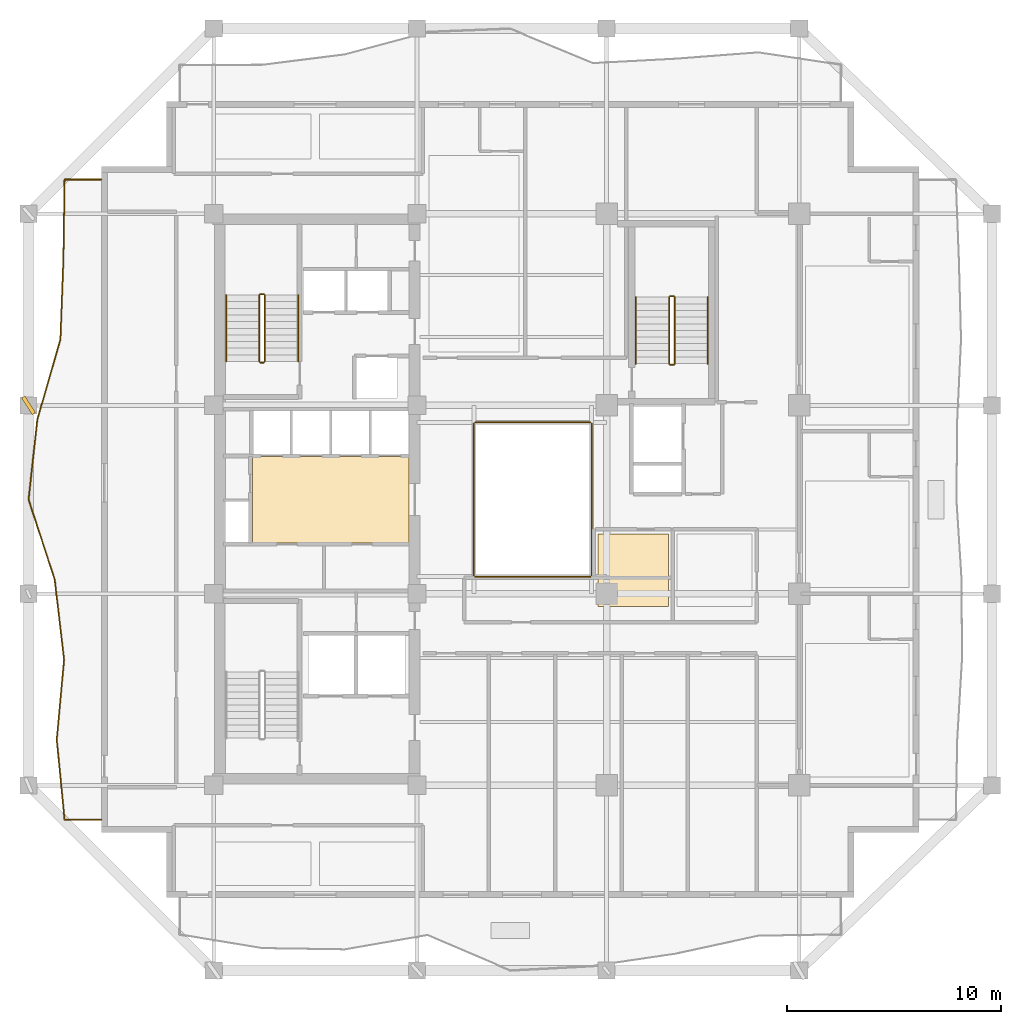
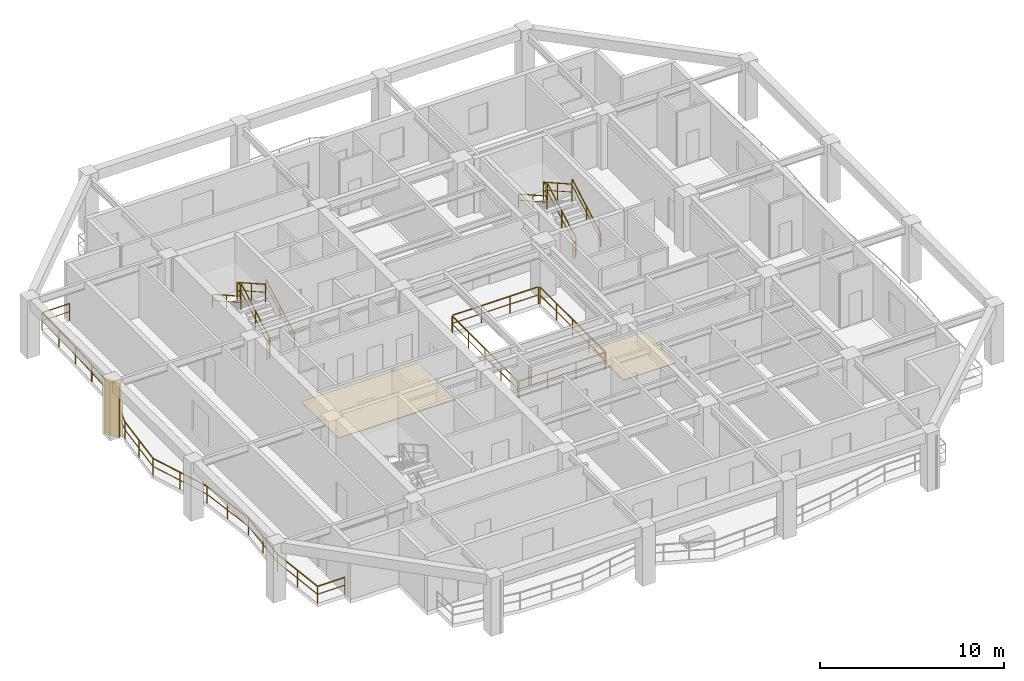
# One storey, part 9 of 11: 17 railings, 2 coverings, 1 shading device.
"""IFC4 building model written with IfcOpenShell, lengths in metres."""

from ifc_helpers import new_model, si_unit, direction, frame, origin, origin_2d, place, context, subcontext, project, spatial, polyline, rectangle, outline, extrude, material, layer, layer_set, type_object, element, save


model = new_model("IFC4")

# Units and contexts
model_context = context("Model", 3, precision=1e-05, world=origin(), true_north=direction((0.0, 1.0)))
body_context = subcontext(model_context, "Body", "Model", "MODEL_VIEW")
ifc_project = project(units=[si_unit("LENGTHUNIT", "METRE"), si_unit("AREAUNIT", "SQUARE_METRE"), si_unit("VOLUMEUNIT", "CUBIC_METRE"), si_unit("PLANEANGLEUNIT", "RADIAN"), si_unit("MASSUNIT", "GRAM", prefix="KILO")], contexts=[model_context])

# Site, building, storey
site_placement = place(None, origin())
site = spatial("IfcSite", under=ifc_project, at=site_placement, CompositionType="ELEMENT")
building_placement = place(site_placement, origin())
building = spatial("IfcBuilding", under=site, at=building_placement, Name="Kundavana Baori Tower", CompositionType="ELEMENT")
storey_placement = place(building_placement, frame((0.0, 0.0, 142.5)))
storey = spatial("IfcBuildingStorey", under=building, at=storey_placement, Name="L34", CompositionType="ELEMENT", Elevation=142.5)

# Coverings
ifc_material_1 = material(Name="Honed Kota Stone and Terrazzo Flooring", Category="masonry")
ifc_layer = layer(ifc_material_1, 0.030029296875, Name="COV-INT-FLR")
ifc_layer_set = layer_set([ifc_layer], Name="Honed Kota Stone and Terrazzo Flooring")
covering_type = type_object("IfcCoveringType", Name="COV-INT-FLR", PredefinedType="FLOORING", material=ifc_layer_set)
covering_1_placement = place(storey_placement, origin())
element("IfcCovering", 1, at=covering_1_placement, inside=storey, type_object=covering_type, Name="L34 Room Finished Stone Flooring 9", PredefinedType="FLOORING", context=body_context, shape_type="SweptSolid", body=[
    extrude(outline(polyline([(33.39990234375, 23.60009765625), (36.699951171875, 23.60009765625), (36.699951171875, 27.0), (33.39990234375, 27.0), (33.39990234375, 23.60009765625)])), origin(), (0.0, 0.0, 1.0), 0.030029296875),
])
covering_2_placement = place(storey_placement, origin())
element("IfcCovering", 2, at=covering_2_placement, inside=storey, type_object=covering_type, Name="L34 Core Lift Lobby Kota Stone Flooring", PredefinedType="FLOORING", context=body_context, shape_type="SweptSolid", body=[
    extrude(outline(polyline([(17.25, 26.580078125), (24.580078125, 26.580078125), (24.580078125, 30.60009765625), (17.25, 30.60009765625), (17.25, 26.580078125)])), origin(), (0.0, 0.0, 1.0), 0.030029296875),
])

# Railings
ifc_material_2 = material(Name="Architectural Patinated Bronze Metalwork")
railing_type_1 = type_object("IfcRailingType", Name="RL-BAL-1150", PredefinedType="BALUSTRADE", material=ifc_material_2)
railing_1_placement = place(storey_placement, frame((10.199951171875, 13.64990234375, 0.0)))
element("IfcRailing", 3, at=railing_1_placement, inside=storey, type_object=railing_type_1, Name="L34 Loggia Balcony Balustrade W", PredefinedType="BALUSTRADE", context=body_context, shape_type="SweptSolid", body=[
    extrude(rectangle(XDim=0.048095703125, YDim=0.048095703125, at=origin_2d()), frame((0.0, 0.0, 1.1259765625), z_axis=(-1.0, 0.0, 0.0), x_axis=(0.0, -1.0, 0.0)), (0.0, 0.0, 1.0), 1.719970703125),
    extrude(rectangle(XDim=0.03125, YDim=0.03125, at=origin_2d()), frame((0.0, 0.0, 0.597900390625), z_axis=(-1.0, 0.0, 0.0), x_axis=(0.0, -1.0, 0.0)), (0.0, 0.0, 1.0), 1.719970703125),
    extrude(rectangle(XDim=0.048095703125, YDim=0.048095703125, at=origin_2d()), frame((-1.719970703125, 0.0, 1.1259765625), z_axis=(-0.097462828087, 0.995239165799, 0.0), x_axis=(-0.995239165799, -0.097462828087, 0.0)), (0.0, 0.0, 1.0), 3.7548828125),
    extrude(rectangle(XDim=0.03125, YDim=0.03125, at=origin_2d()), frame((-1.719970703125, 0.0, 0.597900390625), z_axis=(-0.097462828087, 0.995239165799, 0.0), x_axis=(-0.995239165799, -0.097462828087, 0.0)), (0.0, 0.0, 1.0), 3.7548828125),
    extrude(rectangle(XDim=0.048095703125, YDim=0.048095703125, at=origin_2d()), frame((-2.0859375, 3.737060546875, 1.1259765625), z_axis=(0.091380157634, 0.995816080805, 0.0), x_axis=(-0.995816080805, 0.091380157634, 0.0)), (0.0, 0.0, 1.0), 3.753662109375),
    extrude(rectangle(XDim=0.03125, YDim=0.03125, at=origin_2d()), frame((-2.0859375, 3.737060546875, 0.597900390625), z_axis=(0.091380157634, 0.995816080805, 0.0), x_axis=(-0.995816080805, 0.091380157634, 0.0)), (0.0, 0.0, 1.0), 3.753662109375),
    extrude(rectangle(XDim=0.048095703125, YDim=0.048095703125, at=origin_2d()), frame((-1.742919921875, 7.47509765625, 1.1259765625), z_axis=(-0.116660546173, 0.993171846644, 0.0), x_axis=(-0.993171846644, -0.116660546173, 0.0)), (0.0, 0.0, 1.0), 3.7626953125),
    extrude(rectangle(XDim=0.03125, YDim=0.03125, at=origin_2d()), frame((-1.742919921875, 7.47509765625, 0.597900390625), z_axis=(-0.116660546173, 0.993171846644, 0.0), x_axis=(-0.993171846644, -0.116660546173, 0.0)), (0.0, 0.0, 1.0), 3.7626953125),
    extrude(rectangle(XDim=0.048095703125, YDim=0.048095703125, at=origin_2d()), frame((-2.181884765625, 11.212158203125, 1.1259765625), z_axis=(-0.309811933343, 0.950797857569, 0.0), x_axis=(-0.950797857569, -0.309811933343, 0.0)), (0.0, 0.0, 1.0), 3.931396484375),
    extrude(rectangle(XDim=0.03125, YDim=0.03125, at=origin_2d()), frame((-2.181884765625, 11.212158203125, 0.597900390625), z_axis=(-0.309811933343, 0.950797857569, 0.0), x_axis=(-0.950797857569, -0.309811933343, 0.0)), (0.0, 0.0, 1.0), 3.931396484375),
    extrude(rectangle(XDim=0.048095703125, YDim=0.048095703125, at=origin_2d()), frame((-3.39990234375, 14.9501953125, 1.1259765625), z_axis=(0.108271288951, 0.994121384937, 0.0), x_axis=(-0.994121384937, 0.108271288951, 0.0)), (0.0, 0.0, 1.0), 3.759033203125),
    extrude(rectangle(XDim=0.03125, YDim=0.03125, at=origin_2d()), frame((-3.39990234375, 14.9501953125, 0.597900390625), z_axis=(0.108271288951, 0.994121384937, 0.0), x_axis=(-0.994121384937, 0.108271288951, 0.0)), (0.0, 0.0, 1.0), 3.759033203125),
    extrude(rectangle(XDim=0.048095703125, YDim=0.048095703125, at=origin_2d()), frame((-2.992919921875, 18.68701171875, 1.1259765625), z_axis=(0.277065948786, 0.960850904159, 0.0), x_axis=(-0.960850904159, 0.277065948786, 0.0)), (0.0, 0.0, 1.0), 3.890380859375),
    extrude(rectangle(XDim=0.03125, YDim=0.03125, at=origin_2d()), frame((-2.992919921875, 18.68701171875, 0.597900390625), z_axis=(0.277065948786, 0.960850904159, 0.0), x_axis=(-0.960850904159, 0.277065948786, 0.0)), (0.0, 0.0, 1.0), 3.890380859375),
    extrude(rectangle(XDim=0.048095703125, YDim=0.048095703125, at=origin_2d()), frame((-1.9150390625, 22.425048828125, 1.1259765625), z_axis=(0.037212073746, 0.99930739093, 0.0), x_axis=(-0.99930739093, 0.037212073746, 0.0)), (0.0, 0.0, 1.0), 3.73974609375),
    extrude(rectangle(XDim=0.03125, YDim=0.03125, at=origin_2d()), frame((-1.9150390625, 22.425048828125, 0.597900390625), z_axis=(0.037212073746, 0.99930739093, 0.0), x_axis=(-0.99930739093, 0.037212073746, 0.0)), (0.0, 0.0, 1.0), 3.73974609375),
    extrude(rectangle(XDim=0.048095703125, YDim=0.048095703125, at=origin_2d()), frame((-1.77587890625, 26.162109375, 1.1259765625), z_axis=(0.014954894571, 0.999888169311, 0.0), x_axis=(-0.999888169311, 0.014954894571, 0.0)), (0.0, 0.0, 1.0), 3.738525390625),
    extrude(rectangle(XDim=0.03125, YDim=0.03125, at=origin_2d()), frame((-1.77587890625, 26.162109375, 0.597900390625), z_axis=(0.014954894571, 0.999888169311, 0.0), x_axis=(-0.999888169311, 0.014954894571, 0.0)), (0.0, 0.0, 1.0), 3.738525390625),
    extrude(rectangle(XDim=0.048095703125, YDim=0.048095703125, at=origin_2d()), frame((-1.719970703125, 29.900146484375, 1.1259765625), z_axis=(1.0, 0.0, 0.0), x_axis=(0.0, 1.0, 0.0)), (0.0, 0.0, 1.0), 1.719970703125),
    extrude(rectangle(XDim=0.03125, YDim=0.03125, at=origin_2d()), frame((-1.719970703125, 29.900146484375, 0.597900390625), z_axis=(1.0, 0.0, 0.0), x_axis=(0.0, 1.0, 0.0)), (0.0, 0.0, 1.0), 1.719970703125),
    extrude(rectangle(XDim=0.0419921875, YDim=0.0419921875, at=origin_2d()), origin(), (0.0, 0.0, 1.0), 1.101806640625),
    extrude(rectangle(XDim=0.0419921875, YDim=0.0419921875, at=origin_2d()), frame((-1.719970703125, 0.0, 0.0)), (0.0, 0.0, 1.0), 1.101806640625),
    extrude(rectangle(XDim=0.0419921875, YDim=0.0419921875, at=origin_2d()), frame((-1.90283203125, 1.86865234375, 0.0)), (0.0, 0.0, 1.0), 1.101806640625),
    extrude(rectangle(XDim=0.0419921875, YDim=0.0419921875, at=origin_2d()), frame((-2.0859375, 3.737060546875, 0.0)), (0.0, 0.0, 1.0), 1.101806640625),
    extrude(rectangle(XDim=0.0419921875, YDim=0.0419921875, at=origin_2d()), frame((-1.91455078125, 5.60595703125, 0.0)), (0.0, 0.0, 1.0), 1.101806640625),
    extrude(rectangle(XDim=0.0419921875, YDim=0.0419921875, at=origin_2d()), frame((-1.742919921875, 7.47509765625, 0.0)), (0.0, 0.0, 1.0), 1.101806640625),
    extrude(rectangle(XDim=0.0419921875, YDim=0.0419921875, at=origin_2d()), frame((-1.96240234375, 9.34375, 0.0)), (0.0, 0.0, 1.0), 1.101806640625),
    extrude(rectangle(XDim=0.0419921875, YDim=0.0419921875, at=origin_2d()), frame((-2.181884765625, 11.212158203125, 0.0)), (0.0, 0.0, 1.0), 1.101806640625),
    extrude(rectangle(XDim=0.0419921875, YDim=0.0419921875, at=origin_2d()), frame((-2.791015625, 13.0810546875, 0.0)), (0.0, 0.0, 1.0), 1.101806640625),
    extrude(rectangle(XDim=0.0419921875, YDim=0.0419921875, at=origin_2d()), frame((-3.39990234375, 14.9501953125, 0.0)), (0.0, 0.0, 1.0), 1.101806640625),
    extrude(rectangle(XDim=0.0419921875, YDim=0.0419921875, at=origin_2d()), frame((-3.1962890625, 16.818603515625, 0.0)), (0.0, 0.0, 1.0), 1.101806640625),
    extrude(rectangle(XDim=0.0419921875, YDim=0.0419921875, at=origin_2d()), frame((-2.992919921875, 18.68701171875, 0.0)), (0.0, 0.0, 1.0), 1.101806640625),
    extrude(rectangle(XDim=0.0419921875, YDim=0.0419921875, at=origin_2d()), frame((-2.4541015625, 20.55615234375, 0.0)), (0.0, 0.0, 1.0), 1.101806640625),
    extrude(rectangle(XDim=0.0419921875, YDim=0.0419921875, at=origin_2d()), frame((-1.9150390625, 22.425048828125, 0.0)), (0.0, 0.0, 1.0), 1.101806640625),
    extrude(rectangle(XDim=0.0419921875, YDim=0.0419921875, at=origin_2d()), frame((-1.845458984375, 24.29345703125, 0.0)), (0.0, 0.0, 1.0), 1.101806640625),
    extrude(rectangle(XDim=0.0419921875, YDim=0.0419921875, at=origin_2d()), frame((-1.77587890625, 26.162109375, 0.0)), (0.0, 0.0, 1.0), 1.101806640625),
    extrude(rectangle(XDim=0.0419921875, YDim=0.0419921875, at=origin_2d()), frame((-1.748046875, 28.03125, 0.0)), (0.0, 0.0, 1.0), 1.101806640625),
    extrude(rectangle(XDim=0.0419921875, YDim=0.0419921875, at=origin_2d()), frame((-1.719970703125, 29.900146484375, 0.0)), (0.0, 0.0, 1.0), 1.101806640625),
    extrude(rectangle(XDim=0.0419921875, YDim=0.0419921875, at=origin_2d()), frame((0.0, 29.900146484375, 0.0)), (0.0, 0.0, 1.0), 1.101806640625),
])
ifc_material_3 = material(Name="Architectural Patinated Bronze Metalwork")
railing_type_2 = type_object("IfcRailingType", Name="RL-GRD-1150", PredefinedType="GUARDRAIL", material=ifc_material_3)
railing_2_placement = place(storey_placement, frame((17.840087890625, 35.050048828125, 0.175048828125)))
element("IfcRailing", 4, at=railing_2_placement, inside=storey, type_object=railing_type_2, Name="L34 ST2 stair guard 1", PredefinedType="GUARDRAIL", context=body_context, shape_type="SweptSolid", body=[
    extrude(rectangle(XDim=0.048095703125, YDim=0.048095703125, at=origin_2d()), frame((0.0, 0.0, 1.1259765625), z_axis=(0.0, 0.870814364268, 0.491611984175), x_axis=(-1.0, 0.0, 0.0)), (0.0, 0.0, 1.0), 3.559814453125),
    extrude(rectangle(XDim=0.03125, YDim=0.03125, at=origin_2d()), frame((0.0, 0.0, 0.597900390625), z_axis=(0.0, 0.870814364268, 0.491611984175), x_axis=(-1.0, 0.0, 0.0)), (0.0, 0.0, 1.0), 3.559814453125),
    extrude(rectangle(XDim=0.0419921875, YDim=0.0419921875, at=origin_2d()), origin(), (0.0, 0.0, 1.0), 1.101806640625),
    extrude(rectangle(XDim=0.0419921875, YDim=0.0419921875, at=origin_2d()), frame((0.0, 1.5498046875, 0.875)), (0.0, 0.0, 1.0), 1.101806640625),
    extrude(rectangle(XDim=0.0419921875, YDim=0.0419921875, at=origin_2d()), frame((0.0, 3.099853515625, 1.75)), (0.0, 0.0, 1.0), 1.101806640625),
])
railing_3_placement = place(storey_placement, frame((17.7900390625, 38.199951171875, 1.925048828125)))
element("IfcRailing", 5, at=railing_3_placement, inside=storey, type_object=railing_type_2, Name="L34 ST2 stair guard 2", PredefinedType="GUARDRAIL", context=body_context, shape_type="SweptSolid", body=[
    extrude(rectangle(XDim=0.048095703125, YDim=0.048095703125, at=origin_2d()), frame((0.0, 0.0, 1.1259765625), z_axis=(-1.0, 0.0, 0.0), x_axis=(0.0, -1.0, 0.0)), (0.0, 0.0, 1.0), 0.16015625),
    extrude(rectangle(XDim=0.03125, YDim=0.03125, at=origin_2d()), frame((0.0, 0.0, 0.597900390625), z_axis=(-1.0, 0.0, 0.0), x_axis=(0.0, -1.0, 0.0)), (0.0, 0.0, 1.0), 0.16015625),
    extrude(rectangle(XDim=0.0419921875, YDim=0.0419921875, at=origin_2d()), origin(), (0.0, 0.0, 1.0), 1.101806640625),
    extrude(rectangle(XDim=0.0419921875, YDim=0.0419921875, at=origin_2d()), frame((-0.16015625, 0.0, 0.0)), (0.0, 0.0, 1.0), 1.101806640625),
])
railing_4_placement = place(storey_placement, frame((17.580078125, 38.14990234375, 2.10009765625)))
element("IfcRailing", 6, at=railing_4_placement, inside=storey, type_object=railing_type_2, Name="L34 ST2 stair guard 3", PredefinedType="GUARDRAIL", context=body_context, shape_type="SweptSolid", body=[
    extrude(rectangle(XDim=0.048095703125, YDim=0.048095703125, at=origin_2d()), frame((0.0, 0.0, 1.1259765625), z_axis=(0.0, -0.870814364268, 0.491611984175), x_axis=(1.0, 0.0, 0.0)), (0.0, 0.0, 1.0), 3.559814453125),
    extrude(rectangle(XDim=0.03125, YDim=0.03125, at=origin_2d()), frame((0.0, 0.0, 0.597900390625), z_axis=(0.0, -0.870814364268, 0.491611984175), x_axis=(1.0, 0.0, 0.0)), (0.0, 0.0, 1.0), 3.559814453125),
    extrude(rectangle(XDim=0.0419921875, YDim=0.0419921875, at=origin_2d()), origin(), (0.0, 0.0, 1.0), 1.101806640625),
    extrude(rectangle(XDim=0.0419921875, YDim=0.0419921875, at=origin_2d()), frame((0.0, -1.5498046875, 0.875)), (0.0, 0.0, 1.0), 1.101806640625),
    extrude(rectangle(XDim=0.0419921875, YDim=0.0419921875, at=origin_2d()), frame((0.0, -3.099853515625, 1.75)), (0.0, 0.0, 1.0), 1.101806640625),
])
railing_5_placement = place(storey_placement, frame((17.7900390625, 35.0, 0.0)))
element("IfcRailing", 7, at=railing_5_placement, inside=storey, type_object=railing_type_2, Name="L34 ST2 stair guard 4", PredefinedType="GUARDRAIL", context=body_context, shape_type="SweptSolid", body=[
    extrude(rectangle(XDim=0.048095703125, YDim=0.048095703125, at=origin_2d()), frame((0.0, 0.0, 1.1259765625), z_axis=(-1.0, 0.0, 0.0), x_axis=(0.0, -1.0, 0.0)), (0.0, 0.0, 1.0), 0.16015625),
    extrude(rectangle(XDim=0.03125, YDim=0.03125, at=origin_2d()), frame((0.0, 0.0, 0.597900390625), z_axis=(-1.0, 0.0, 0.0), x_axis=(0.0, -1.0, 0.0)), (0.0, 0.0, 1.0), 0.16015625),
    extrude(rectangle(XDim=0.0419921875, YDim=0.0419921875, at=origin_2d()), origin(), (0.0, 0.0, 1.0), 1.101806640625),
    extrude(rectangle(XDim=0.0419921875, YDim=0.0419921875, at=origin_2d()), frame((-0.16015625, 0.0, 0.0)), (0.0, 0.0, 1.0), 1.101806640625),
])
railing_6_placement = place(storey_placement, frame((36.97998046875, 34.949951171875, 0.175048828125)))
element("IfcRailing", 8, at=railing_6_placement, inside=storey, type_object=railing_type_2, Name="L34 ST3 stair guard 1", PredefinedType="GUARDRAIL", context=body_context, shape_type="SweptSolid", body=[
    extrude(rectangle(XDim=0.048095703125, YDim=0.048095703125, at=origin_2d()), frame((0.0, 0.0, 1.1259765625), z_axis=(0.0, 0.870830938388, 0.491582624537), x_axis=(-1.0, 0.0, 0.0)), (0.0, 0.0, 1.0), 3.559814453125),
    extrude(rectangle(XDim=0.03125, YDim=0.03125, at=origin_2d()), frame((0.0, 0.0, 0.597900390625), z_axis=(0.0, 0.870830938388, 0.491582624537), x_axis=(-1.0, 0.0, 0.0)), (0.0, 0.0, 1.0), 3.559814453125),
    extrude(rectangle(XDim=0.0419921875, YDim=0.0419921875, at=origin_2d()), origin(), (0.0, 0.0, 1.0), 1.101806640625),
    extrude(rectangle(XDim=0.0419921875, YDim=0.0419921875, at=origin_2d()), frame((0.0, 1.550048828125, 0.875)), (0.0, 0.0, 1.0), 1.101806640625),
    extrude(rectangle(XDim=0.0419921875, YDim=0.0419921875, at=origin_2d()), frame((0.0, 3.10009765625, 1.75)), (0.0, 0.0, 1.0), 1.101806640625),
])
railing_7_placement = place(storey_placement, frame((36.929931640625, 38.10009765625, 1.925048828125)))
element("IfcRailing", 9, at=railing_7_placement, inside=storey, type_object=railing_type_2, Name="L34 ST3 stair guard 2", PredefinedType="GUARDRAIL", context=body_context, shape_type="SweptSolid", body=[
    extrude(rectangle(XDim=0.048095703125, YDim=0.048095703125, at=origin_2d()), frame((0.0, 0.0, 1.1259765625), z_axis=(-1.0, 0.0, 0.0), x_axis=(0.0, -1.0, 0.0)), (0.0, 0.0, 1.0), 0.159912109375),
    extrude(rectangle(XDim=0.03125, YDim=0.03125, at=origin_2d()), frame((0.0, 0.0, 0.597900390625), z_axis=(-1.0, 0.0, 0.0), x_axis=(0.0, -1.0, 0.0)), (0.0, 0.0, 1.0), 0.159912109375),
    extrude(rectangle(XDim=0.0419921875, YDim=0.0419921875, at=origin_2d()), origin(), (0.0, 0.0, 1.0), 1.101806640625),
    extrude(rectangle(XDim=0.0419921875, YDim=0.0419921875, at=origin_2d()), frame((-0.159912109375, 0.0, 0.0)), (0.0, 0.0, 1.0), 1.101806640625),
])
railing_8_placement = place(storey_placement, frame((36.719970703125, 38.050048828125, 2.10009765625)))
element("IfcRailing", 10, at=railing_8_placement, inside=storey, type_object=railing_type_2, Name="L34 ST3 stair guard 3", PredefinedType="GUARDRAIL", context=body_context, shape_type="SweptSolid", body=[
    extrude(rectangle(XDim=0.048095703125, YDim=0.048095703125, at=origin_2d()), frame((0.0, 0.0, 1.1259765625), z_axis=(0.0, -0.870830938388, 0.491582624537), x_axis=(1.0, 0.0, 0.0)), (0.0, 0.0, 1.0), 3.559814453125),
    extrude(rectangle(XDim=0.03125, YDim=0.03125, at=origin_2d()), frame((0.0, 0.0, 0.597900390625), z_axis=(0.0, -0.870830938388, 0.491582624537), x_axis=(1.0, 0.0, 0.0)), (0.0, 0.0, 1.0), 3.559814453125),
    extrude(rectangle(XDim=0.0419921875, YDim=0.0419921875, at=origin_2d()), origin(), (0.0, 0.0, 1.0), 1.101806640625),
    extrude(rectangle(XDim=0.0419921875, YDim=0.0419921875, at=origin_2d()), frame((0.0, -1.550048828125, 0.875)), (0.0, 0.0, 1.0), 1.101806640625),
    extrude(rectangle(XDim=0.0419921875, YDim=0.0419921875, at=origin_2d()), frame((0.0, -3.10009765625, 1.75)), (0.0, 0.0, 1.0), 1.101806640625),
])
railing_9_placement = place(storey_placement, frame((36.929931640625, 34.89990234375, 0.0)))
element("IfcRailing", 11, at=railing_9_placement, inside=storey, type_object=railing_type_2, Name="L34 ST3 stair guard 4", PredefinedType="GUARDRAIL", context=body_context, shape_type="SweptSolid", body=[
    extrude(rectangle(XDim=0.048095703125, YDim=0.048095703125, at=origin_2d()), frame((0.0, 0.0, 1.1259765625), z_axis=(-1.0, 0.0, 0.0), x_axis=(0.0, -1.0, 0.0)), (0.0, 0.0, 1.0), 0.159912109375),
    extrude(rectangle(XDim=0.03125, YDim=0.03125, at=origin_2d()), frame((0.0, 0.0, 0.597900390625), z_axis=(-1.0, 0.0, 0.0), x_axis=(0.0, -1.0, 0.0)), (0.0, 0.0, 1.0), 0.159912109375),
    extrude(rectangle(XDim=0.0419921875, YDim=0.0419921875, at=origin_2d()), origin(), (0.0, 0.0, 1.0), 1.101806640625),
    extrude(rectangle(XDim=0.0419921875, YDim=0.0419921875, at=origin_2d()), frame((-0.159912109375, 0.0, 0.0)), (0.0, 0.0, 1.0), 1.101806640625),
])
railing_10_placement = place(storey_placement, frame((27.659912109375, 25.0, 0.0)))
element("IfcRailing", 12, at=railing_10_placement, inside=storey, type_object=railing_type_2, Name="L34 Atrium Void Perimeter Guardrail S", PredefinedType="GUARDRAIL", context=body_context, shape_type="SweptSolid", body=[
    extrude(rectangle(XDim=0.048095703125, YDim=0.048095703125, at=origin_2d()), frame((0.0, 0.0, 1.1259765625), z_axis=(1.0, 0.0, 0.0), x_axis=(0.0, 1.0, 0.0)), (0.0, 0.0, 1.0), 5.380126953125),
    extrude(rectangle(XDim=0.03125, YDim=0.03125, at=origin_2d()), frame((0.0, 0.0, 0.597900390625), z_axis=(1.0, 0.0, 0.0), x_axis=(0.0, 1.0, 0.0)), (0.0, 0.0, 1.0), 5.380126953125),
    extrude(rectangle(XDim=0.0419921875, YDim=0.0419921875, at=origin_2d()), origin(), (0.0, 0.0, 1.0), 1.101806640625),
    extrude(rectangle(XDim=0.0419921875, YDim=0.0419921875, at=origin_2d()), frame((1.79345703125, 0.0, 0.0)), (0.0, 0.0, 1.0), 1.101806640625),
    extrude(rectangle(XDim=0.0419921875, YDim=0.0419921875, at=origin_2d()), frame((3.586669921875, 0.0, 0.0)), (0.0, 0.0, 1.0), 1.101806640625),
    extrude(rectangle(XDim=0.0419921875, YDim=0.0419921875, at=origin_2d()), frame((5.380126953125, 0.0, 0.0)), (0.0, 0.0, 1.0), 1.101806640625),
])
railing_11_placement = place(storey_placement, frame((33.10009765625, 25.06005859375, 0.0)))
element("IfcRailing", 13, at=railing_11_placement, inside=storey, type_object=railing_type_2, Name="L34 Atrium Void Perimeter Guardrail E", PredefinedType="GUARDRAIL", context=body_context, shape_type="SweptSolid", body=[
    extrude(rectangle(XDim=0.048095703125, YDim=0.048095703125, at=origin_2d()), frame((0.0, 0.0, 1.1259765625), z_axis=(0.0, 1.0, 0.0), x_axis=(-1.0, 0.0, 0.0)), (0.0, 0.0, 1.0), 7.079833984375),
    extrude(rectangle(XDim=0.03125, YDim=0.03125, at=origin_2d()), frame((0.0, 0.0, 0.597900390625), z_axis=(0.0, 1.0, 0.0), x_axis=(-1.0, 0.0, 0.0)), (0.0, 0.0, 1.0), 7.079833984375),
    extrude(rectangle(XDim=0.0419921875, YDim=0.0419921875, at=origin_2d()), origin(), (0.0, 0.0, 1.0), 1.101806640625),
    extrude(rectangle(XDim=0.0419921875, YDim=0.0419921875, at=origin_2d()), frame((0.0, 1.77001953125, 0.0)), (0.0, 0.0, 1.0), 1.101806640625),
    extrude(rectangle(XDim=0.0419921875, YDim=0.0419921875, at=origin_2d()), frame((0.0, 3.5400390625, 0.0)), (0.0, 0.0, 1.0), 1.101806640625),
    extrude(rectangle(XDim=0.0419921875, YDim=0.0419921875, at=origin_2d()), frame((0.0, 5.309814453125, 0.0)), (0.0, 0.0, 1.0), 1.101806640625),
    extrude(rectangle(XDim=0.0419921875, YDim=0.0419921875, at=origin_2d()), frame((0.0, 7.079833984375, 0.0)), (0.0, 0.0, 1.0), 1.101806640625),
])
railing_12_placement = place(storey_placement, frame((33.0400390625, 32.199951171875, 0.0)))
element("IfcRailing", 14, at=railing_12_placement, inside=storey, type_object=railing_type_2, Name="L34 Atrium Void Perimeter Guardrail N", PredefinedType="GUARDRAIL", context=body_context, shape_type="SweptSolid", body=[
    extrude(rectangle(XDim=0.048095703125, YDim=0.048095703125, at=origin_2d()), frame((0.0, 0.0, 1.1259765625), z_axis=(-1.0, 0.0, 0.0), x_axis=(0.0, -1.0, 0.0)), (0.0, 0.0, 1.0), 5.380126953125),
    extrude(rectangle(XDim=0.03125, YDim=0.03125, at=origin_2d()), frame((0.0, 0.0, 0.597900390625), z_axis=(-1.0, 0.0, 0.0), x_axis=(0.0, -1.0, 0.0)), (0.0, 0.0, 1.0), 5.380126953125),
    extrude(rectangle(XDim=0.0419921875, YDim=0.0419921875, at=origin_2d()), origin(), (0.0, 0.0, 1.0), 1.101806640625),
    extrude(rectangle(XDim=0.0419921875, YDim=0.0419921875, at=origin_2d()), frame((-1.79345703125, 0.0, 0.0)), (0.0, 0.0, 1.0), 1.101806640625),
    extrude(rectangle(XDim=0.0419921875, YDim=0.0419921875, at=origin_2d()), frame((-3.586669921875, 0.0, 0.0)), (0.0, 0.0, 1.0), 1.101806640625),
    extrude(rectangle(XDim=0.0419921875, YDim=0.0419921875, at=origin_2d()), frame((-5.380126953125, 0.0, 0.0)), (0.0, 0.0, 1.0), 1.101806640625),
])
railing_13_placement = place(storey_placement, frame((27.60009765625, 32.139892578125, 0.0)))
element("IfcRailing", 15, at=railing_13_placement, inside=storey, type_object=railing_type_2, Name="L34 Atrium Void Perimeter Guardrail W", PredefinedType="GUARDRAIL", context=body_context, shape_type="SweptSolid", body=[
    extrude(rectangle(XDim=0.048095703125, YDim=0.048095703125, at=origin_2d()), frame((0.0, 0.0, 1.1259765625), z_axis=(0.0, -1.0, 0.0), x_axis=(1.0, 0.0, 0.0)), (0.0, 0.0, 1.0), 7.079833984375),
    extrude(rectangle(XDim=0.03125, YDim=0.03125, at=origin_2d()), frame((0.0, 0.0, 0.597900390625), z_axis=(0.0, -1.0, 0.0), x_axis=(1.0, 0.0, 0.0)), (0.0, 0.0, 1.0), 7.079833984375),
    extrude(rectangle(XDim=0.0419921875, YDim=0.0419921875, at=origin_2d()), origin(), (0.0, 0.0, 1.0), 1.101806640625),
    extrude(rectangle(XDim=0.0419921875, YDim=0.0419921875, at=origin_2d()), frame((0.0, -1.77001953125, 0.0)), (0.0, 0.0, 1.0), 1.101806640625),
    extrude(rectangle(XDim=0.0419921875, YDim=0.0419921875, at=origin_2d()), frame((0.0, -3.5400390625, 0.0)), (0.0, 0.0, 1.0), 1.101806640625),
    extrude(rectangle(XDim=0.0419921875, YDim=0.0419921875, at=origin_2d()), frame((0.0, -5.309814453125, 0.0)), (0.0, 0.0, 1.0), 1.101806640625),
    extrude(rectangle(XDim=0.0419921875, YDim=0.0419921875, at=origin_2d()), frame((0.0, -7.079833984375, 0.0)), (0.0, 0.0, 1.0), 1.101806640625),
])
ifc_material_4 = material(Name="Architectural Patinated Bronze Metalwork")
railing_type_3 = type_object("IfcRailingType", Name="RL-HND-920", PredefinedType="HANDRAIL", material=ifc_material_4)
railing_14_placement = place(storey_placement, frame((19.389892578125, 35.050048828125, 0.175048828125)))
element("IfcRailing", 16, at=railing_14_placement, inside=storey, type_object=railing_type_3, Name="L34 ST2 stair handrail 1", PredefinedType="HANDRAIL", context=body_context, shape_type="SweptSolid", body=[
    extrude(rectangle(XDim=0.048095703125, YDim=0.048095703125, at=origin_2d()), frame((0.0, 0.0, 0.8759765625), z_axis=(0.0, 0.870814364268, 0.491611984175), x_axis=(-1.0, 0.0, 0.0)), (0.0, 0.0, 1.0), 3.559814453125),
    extrude(rectangle(XDim=0.03125, YDim=0.03125, at=origin_2d()), frame((0.0, 0.0, 0.468017578125), z_axis=(0.0, 0.870814364268, 0.491611984175), x_axis=(-1.0, 0.0, 0.0)), (0.0, 0.0, 1.0), 3.559814453125),
    extrude(rectangle(XDim=0.0419921875, YDim=0.0419921875, at=origin_2d()), origin(), (0.0, 0.0, 1.0), 0.851806640625),
    extrude(rectangle(XDim=0.0419921875, YDim=0.0419921875, at=origin_2d()), frame((0.0, 1.5498046875, 0.875)), (0.0, 0.0, 1.0), 0.851806640625),
    extrude(rectangle(XDim=0.0419921875, YDim=0.0419921875, at=origin_2d()), frame((0.0, 3.099853515625, 1.75)), (0.0, 0.0, 1.0), 0.851806640625),
])
railing_15_placement = place(storey_placement, frame((16.030029296875, 38.14990234375, 2.10009765625)))
element("IfcRailing", 17, at=railing_15_placement, inside=storey, type_object=railing_type_3, Name="L34 ST2 stair handrail 2", PredefinedType="HANDRAIL", context=body_context, shape_type="SweptSolid", body=[
    extrude(rectangle(XDim=0.048095703125, YDim=0.048095703125, at=origin_2d()), frame((0.0, 0.0, 0.8759765625), z_axis=(0.0, -0.870814364268, 0.491611984175), x_axis=(1.0, 0.0, 0.0)), (0.0, 0.0, 1.0), 3.559814453125),
    extrude(rectangle(XDim=0.03125, YDim=0.03125, at=origin_2d()), frame((0.0, 0.0, 0.468017578125), z_axis=(0.0, -0.870814364268, 0.491611984175), x_axis=(1.0, 0.0, 0.0)), (0.0, 0.0, 1.0), 3.559814453125),
    extrude(rectangle(XDim=0.0419921875, YDim=0.0419921875, at=origin_2d()), origin(), (0.0, 0.0, 1.0), 0.851806640625),
    extrude(rectangle(XDim=0.0419921875, YDim=0.0419921875, at=origin_2d()), frame((0.0, -1.5498046875, 0.875)), (0.0, 0.0, 1.0), 0.851806640625),
    extrude(rectangle(XDim=0.0419921875, YDim=0.0419921875, at=origin_2d()), frame((0.0, -3.099853515625, 1.75)), (0.0, 0.0, 1.0), 0.851806640625),
])
railing_16_placement = place(storey_placement, frame((38.530029296875, 34.949951171875, 0.175048828125)))
element("IfcRailing", 18, at=railing_16_placement, inside=storey, type_object=railing_type_3, Name="L34 ST3 stair handrail 1", PredefinedType="HANDRAIL", context=body_context, shape_type="SweptSolid", body=[
    extrude(rectangle(XDim=0.048095703125, YDim=0.048095703125, at=origin_2d()), frame((0.0, 0.0, 0.8759765625), z_axis=(0.0, 0.870830938388, 0.491582624537), x_axis=(-1.0, 0.0, 0.0)), (0.0, 0.0, 1.0), 3.559814453125),
    extrude(rectangle(XDim=0.03125, YDim=0.03125, at=origin_2d()), frame((0.0, 0.0, 0.468017578125), z_axis=(0.0, 0.870830938388, 0.491582624537), x_axis=(-1.0, 0.0, 0.0)), (0.0, 0.0, 1.0), 3.559814453125),
    extrude(rectangle(XDim=0.0419921875, YDim=0.0419921875, at=origin_2d()), origin(), (0.0, 0.0, 1.0), 0.851806640625),
    extrude(rectangle(XDim=0.0419921875, YDim=0.0419921875, at=origin_2d()), frame((0.0, 1.550048828125, 0.875)), (0.0, 0.0, 1.0), 0.851806640625),
    extrude(rectangle(XDim=0.0419921875, YDim=0.0419921875, at=origin_2d()), frame((0.0, 3.10009765625, 1.75)), (0.0, 0.0, 1.0), 0.851806640625),
])
railing_17_placement = place(storey_placement, frame((35.169921875, 38.050048828125, 2.10009765625)))
element("IfcRailing", 19, at=railing_17_placement, inside=storey, type_object=railing_type_3, Name="L34 ST3 stair handrail 2", PredefinedType="HANDRAIL", context=body_context, shape_type="SweptSolid", body=[
    extrude(rectangle(XDim=0.048095703125, YDim=0.048095703125, at=origin_2d()), frame((0.0, 0.0, 0.8759765625), z_axis=(0.0, -0.870830938388, 0.491582624537), x_axis=(1.0, 0.0, 0.0)), (0.0, 0.0, 1.0), 3.559814453125),
    extrude(rectangle(XDim=0.03125, YDim=0.03125, at=origin_2d()), frame((0.0, 0.0, 0.468017578125), z_axis=(0.0, -0.870830938388, 0.491582624537), x_axis=(1.0, 0.0, 0.0)), (0.0, 0.0, 1.0), 3.559814453125),
    extrude(rectangle(XDim=0.0419921875, YDim=0.0419921875, at=origin_2d()), origin(), (0.0, 0.0, 1.0), 0.851806640625),
    extrude(rectangle(XDim=0.0419921875, YDim=0.0419921875, at=origin_2d()), frame((0.0, -1.550048828125, 0.875)), (0.0, 0.0, 1.0), 0.851806640625),
    extrude(rectangle(XDim=0.0419921875, YDim=0.0419921875, at=origin_2d()), frame((0.0, -3.10009765625, 1.75)), (0.0, 0.0, 1.0), 0.851806640625),
])

# Shading device
ifc_material_5 = material(Name="Red-Buff Dholpur Sandstone Cladding on Concrete C40/50", Category="masonry")
shading_device_type = type_object("IfcShadingDeviceType", Name="SHD-FIN-920", PredefinedType="JALOUSIE", material=ifc_material_5)
shading_device_placement = place(storey_placement, frame((6.800048828125, 33.0, 0.0), z_axis=(0.0, 0.0, 1.0), x_axis=(0.843391445813, 0.537299608347, 0.0)))
element("IfcShadingDevice", 20, at=shading_device_placement, inside=storey, type_object=shading_device_type, Name="L34 Sweeping Dholpur Sandstone Facade Fin 7", PredefinedType="JALOUSIE", context=body_context, shape_type="SweptSolid", body=[
    extrude(rectangle(XDim=0.179931640625, YDim=0.919921875, at=origin_2d()), origin(), (0.0, 0.0, 1.0), 3.60009765625),
])

save(model, "model.ifc")
